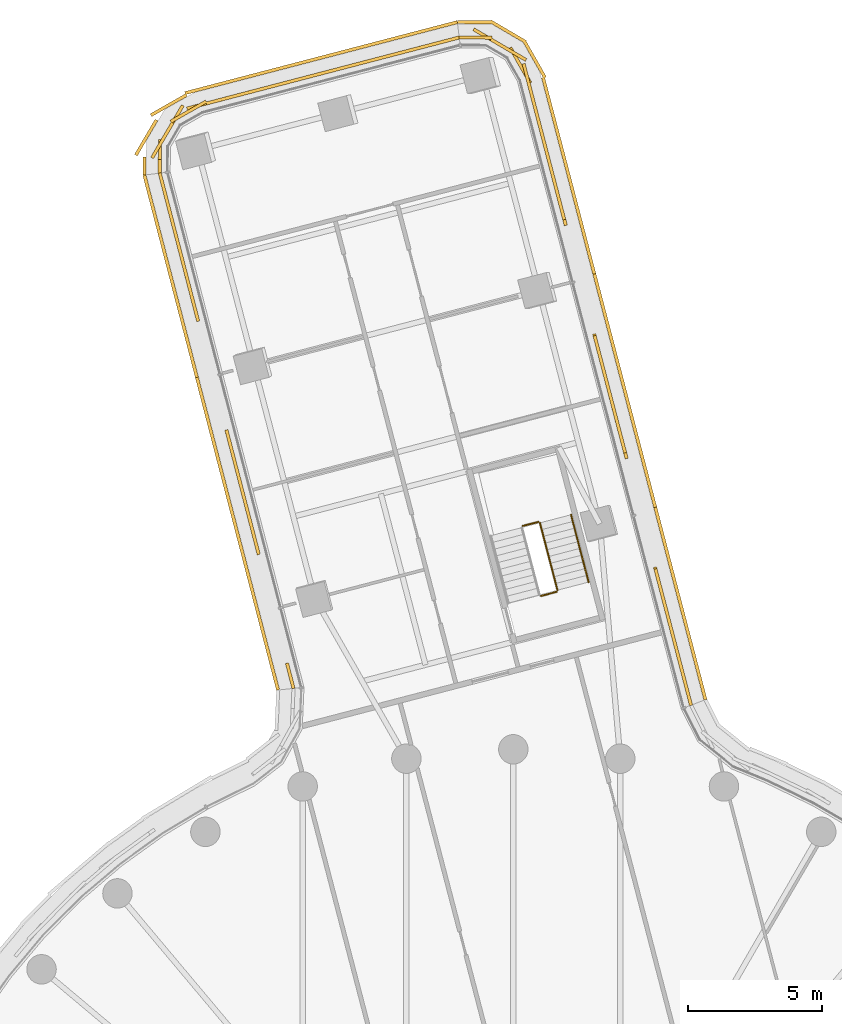
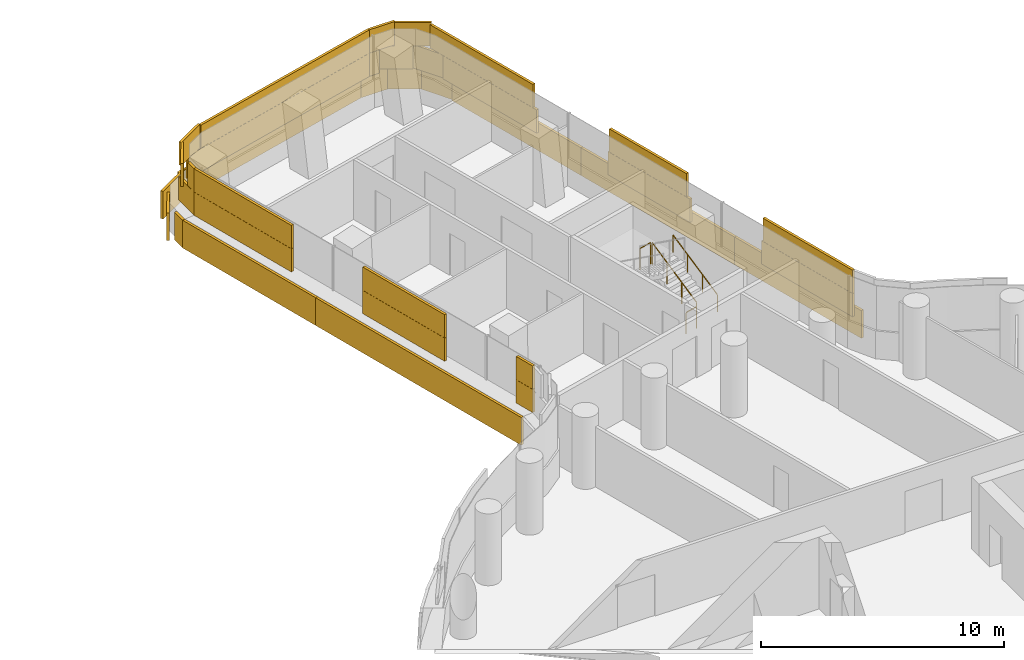
# One storey, part 30 of 30: 6 coverings, 4 railings.
"""IFC4 building model written with IfcOpenShell, lengths in metres."""

from ifc_helpers import new_model, si_unit, direction, frame, origin, origin_2d, place, context, subcontext, project, spatial, rectangle, circle, extrude, material, layer, layer_set, type_object, element, save


model = new_model("IFC4")

# Units and contexts
model_context = context("Model", 3, precision=1e-05, world=origin(), true_north=direction((0.0, 1.0)))
body_context = subcontext(model_context, "Body", "Model", "MODEL_VIEW")
ifc_project = project(units=[si_unit("LENGTHUNIT", "METRE"), si_unit("AREAUNIT", "SQUARE_METRE"), si_unit("VOLUMEUNIT", "CUBIC_METRE"), si_unit("PLANEANGLEUNIT", "RADIAN"), si_unit("MASSUNIT", "GRAM", prefix="KILO")], contexts=[model_context])

# Site, building, storey
site_placement = place(None, origin())
site = spatial("IfcSite", under=ifc_project, at=site_placement, CompositionType="ELEMENT")
building_placement = place(site_placement, origin())
building = spatial("IfcBuilding", under=site, at=building_placement, Name="Tamarind Cross Interchange Tower", CompositionType="ELEMENT")
storey_placement = place(building_placement, frame((0.0, 0.0, 87.25)))
storey = spatial("IfcBuildingStorey", under=building, at=storey_placement, Name="L20", CompositionType="ELEMENT", Elevation=87.25)

# Railings
ifc_material_1 = material(Name="Stair guard")
railing_type_1 = type_object("IfcRailingType", Name="Stair guard", PredefinedType="GUARDRAIL", material=ifc_material_1)
railing_1_placement = place(storey_placement, frame((1.650390625, 28.94189453125, 0.17041015625)))
element("IfcRailing", 1, at=railing_1_placement, inside=storey, type_object=railing_type_1, Name="L20 ST4 stair guard 1", PredefinedType="GUARDRAIL", context=body_context, shape_type="SweptSolid", body=[
    extrude(circle(Radius=0.02392578125, at=origin_2d()), frame((0.0, 0.0, 1.076171875), z_axis=(-0.211169100109, 0.809180515998, 0.548301471535), x_axis=(-0.96759433238, -0.252509817524, 0.0)), (0.0, 0.0, 1.0), 3.10888671875),
    extrude(circle(Radius=0.02099609375, at=origin_2d()), origin(), (0.0, 0.0, 1.0), 1.052001953125),
    extrude(circle(Radius=0.02099609375, at=origin_2d()), frame((-0.21875, 0.838623046875, 0.568115234375)), (0.0, 0.0, 1.0), 1.052001953125),
    extrude(circle(Radius=0.02099609375, at=origin_2d()), frame((-0.437744140625, 1.677001953125, 1.136474609375)), (0.0, 0.0, 1.0), 1.052001953125),
    extrude(circle(Radius=0.02099609375, at=origin_2d()), frame((-0.656494140625, 2.515625, 1.70458984375)), (0.0, 0.0, 1.0), 1.052001953125),
])
railing_2_placement = place(storey_placement, frame((0.932861328125, 31.4931640625, 1.875)))
element("IfcRailing", 2, at=railing_2_placement, inside=storey, type_object=railing_type_1, Name="L20 ST4 stair guard 2", PredefinedType="GUARDRAIL", context=body_context, shape_type="SweptSolid", body=[
    extrude(circle(Radius=0.02392578125, at=origin_2d()), frame((0.0, 0.0, 1.076171875), z_axis=(-0.967651833377, -0.252289376238, 0.0), x_axis=(0.252289376238, -0.967651833377, 0.0)), (0.0, 0.0, 1.0), 0.599853515625),
    extrude(circle(Radius=0.02099609375, at=origin_2d()), origin(), (0.0, 0.0, 1.0), 1.052001953125),
    extrude(circle(Radius=0.02099609375, at=origin_2d()), frame((-0.58056640625, -0.1513671875, 0.0)), (0.0, 0.0, 1.0), 1.052001953125),
])
railing_3_placement = place(storey_placement, frame((1.61474609375, 28.880859375, 0.0)))
element("IfcRailing", 3, at=railing_3_placement, inside=storey, type_object=railing_type_1, Name="L20 ST4 stair guard 4", PredefinedType="GUARDRAIL", context=body_context, shape_type="SweptSolid", body=[
    extrude(circle(Radius=0.02392578125, at=origin_2d()), frame((0.0, 0.0, 1.076171875), z_axis=(-0.967552428308, -0.252670335567, 0.0), x_axis=(0.252670335567, -0.967552428308, 0.0)), (0.0, 0.0, 1.0), 0.60009765625),
    extrude(circle(Radius=0.02099609375, at=origin_2d()), origin(), (0.0, 0.0, 1.0), 1.052001953125),
    extrude(circle(Radius=0.02099609375, at=origin_2d()), frame((-0.58056640625, -0.151611328125, 0.0)), (0.0, 0.0, 1.0), 1.052001953125),
])
ifc_material_2 = material(Name="Stair handrail")
railing_type_2 = type_object("IfcRailingType", Name="Stair handrail", PredefinedType="HANDRAIL", material=ifc_material_2)
railing_4_placement = place(storey_placement, frame((2.8115234375, 29.244873046875, 0.17041015625)))
element("IfcRailing", 4, at=railing_4_placement, inside=storey, type_object=railing_type_2, Name="L20 ST4 stair handrail 1", PredefinedType="HANDRAIL", context=body_context, shape_type="SweptSolid", body=[
    extrude(circle(Radius=0.02392578125, at=origin_2d()), frame((0.0, 0.0, 0.8759765625), z_axis=(-0.211169100109, 0.809180515998, 0.548301471535), x_axis=(-0.96759433238, -0.252509817524, 0.0)), (0.0, 0.0, 1.0), 3.10888671875),
    extrude(circle(Radius=0.02099609375, at=origin_2d()), origin(), (0.0, 0.0, 1.0), 0.851806640625),
    extrude(circle(Radius=0.02099609375, at=origin_2d()), frame((-0.21875, 0.838623046875, 0.568115234375)), (0.0, 0.0, 1.0), 0.851806640625),
    extrude(circle(Radius=0.02099609375, at=origin_2d()), frame((-0.437744140625, 1.677001953125, 1.136474609375)), (0.0, 0.0, 1.0), 0.851806640625),
    extrude(circle(Radius=0.02099609375, at=origin_2d()), frame((-0.656494140625, 2.515625, 1.70458984375)), (0.0, 0.0, 1.0), 0.851806640625),
])

# Coverings
ifc_material_3 = material(Name="Terracotta", Category="masonry")
ifc_layer = layer(ifc_material_3, 0.1201171875)
ifc_layer_set = layer_set([ifc_layer], Name="Terracotta")
covering_type = type_object("IfcCoveringType", Name="Terracotta baguette screen unit", PredefinedType="MOLDING", material=ifc_layer_set)
covering_1_placement = place(storey_placement, origin())
element("IfcCovering", 5, at=covering_1_placement, inside=storey, type_object=covering_type, Name="SCR-L20-00-00", PredefinedType="MOLDING", context=body_context, shape_type="SweptSolid", body=[
    extrude(rectangle(XDim=1.510009765625, YDim=0.1201171875, at=origin_2d()), frame((-2.745361328125, 49.3955078125, 1.404052734375), z_axis=(0.0, 0.0, 1.0), x_axis=(-0.967589396666, -0.252528729967, 0.0)), (0.0, 0.0, 1.0), 1.1669921875),
    extrude(rectangle(XDim=1.52001953125, YDim=0.1201171875, at=origin_2d()), frame((-4.19677734375, 49.016845703125, 1.404052734375), z_axis=(0.0, 0.0, 1.0), x_axis=(-0.967589396666, -0.252528729967, 0.0)), (0.0, 0.0, 1.0), 1.1669921875),
    extrude(rectangle(XDim=1.52001953125, YDim=0.1201171875, at=origin_2d()), frame((-5.64794921875, 48.637939453125, 1.404052734375), z_axis=(0.0, 0.0, 1.0), x_axis=(-0.967589396666, -0.252528729967, 0.0)), (0.0, 0.0, 1.0), 1.1669921875),
    extrude(rectangle(XDim=1.52001953125, YDim=0.1201171875, at=origin_2d()), frame((-7.099365234375, 48.25927734375, 1.404052734375), z_axis=(0.0, 0.0, 1.0), x_axis=(-0.967589396666, -0.252528729967, 0.0)), (0.0, 0.0, 1.0), 1.1669921875),
    extrude(rectangle(XDim=1.52001953125, YDim=0.1201171875, at=origin_2d()), frame((-8.55078125, 47.88037109375, 1.404052734375), z_axis=(0.0, 0.0, 1.0), x_axis=(-0.967589396666, -0.252528729967, 0.0)), (0.0, 0.0, 1.0), 1.1669921875),
    extrude(rectangle(XDim=1.52001953125, YDim=0.1201171875, at=origin_2d()), frame((-10.002197265625, 47.501708984375, 1.404052734375), z_axis=(0.0, 0.0, 1.0), x_axis=(-0.967589396666, -0.252528729967, 0.0)), (0.0, 0.0, 1.0), 1.1669921875),
    extrude(rectangle(XDim=1.52001953125, YDim=0.1201171875, at=origin_2d()), frame((-11.45361328125, 47.122802734375, 1.404052734375), z_axis=(0.0, 0.0, 1.0), x_axis=(-0.967589396666, -0.252528729967, 0.0)), (0.0, 0.0, 1.0), 1.1669921875),
    extrude(rectangle(XDim=1.52001953125, YDim=0.1201171875, at=origin_2d()), frame((-12.72802734375, 46.390380859375, 1.404052734375), z_axis=(0.0, 0.0, 1.0), x_axis=(-0.505624246383, -0.862753801191, 0.0)), (0.0, 0.0, 1.0), 1.1669921875),
    extrude(rectangle(XDim=1.259521484375, YDim=0.1201171875, at=origin_2d()), frame((-13.200439453125, 45.14306640625, 1.404052734375), z_axis=(0.0, 0.0, 1.0), x_axis=(-0.006506541541, -0.999978832235, 0.0)), (0.0, 0.0, 1.0), 1.1669921875),
    extrude(rectangle(XDim=0.760009765625, YDim=0.1201171875, at=origin_2d()), frame((-2.382568359375, 49.490234375, 2.5791015625), z_axis=(0.0, 0.0, 1.0), x_axis=(-0.967589396666, -0.252528729967, 0.0)), (0.0, 0.0, 1.0), 1.1669921875),
    extrude(rectangle(XDim=1.52001953125, YDim=0.1201171875, at=origin_2d()), frame((-3.470947265625, 49.2060546875, 2.5791015625), z_axis=(0.0, 0.0, 1.0), x_axis=(-0.967589396666, -0.252528729967, 0.0)), (0.0, 0.0, 1.0), 1.1669921875),
    extrude(rectangle(XDim=1.52001953125, YDim=0.1201171875, at=origin_2d()), frame((-4.92236328125, 48.827392578125, 2.5791015625), z_axis=(0.0, 0.0, 1.0), x_axis=(-0.967589396666, -0.252528729967, 0.0)), (0.0, 0.0, 1.0), 1.1669921875),
    extrude(rectangle(XDim=1.52001953125, YDim=0.1201171875, at=origin_2d()), frame((-6.373779296875, 48.448486328125, 2.5791015625), z_axis=(0.0, 0.0, 1.0), x_axis=(-0.967589396666, -0.252528729967, 0.0)), (0.0, 0.0, 1.0), 1.1669921875),
    extrude(rectangle(XDim=1.52001953125, YDim=0.1201171875, at=origin_2d()), frame((-7.8251953125, 48.06982421875, 2.5791015625), z_axis=(0.0, 0.0, 1.0), x_axis=(-0.967589396666, -0.252528729967, 0.0)), (0.0, 0.0, 1.0), 1.1669921875),
    extrude(rectangle(XDim=1.52001953125, YDim=0.1201171875, at=origin_2d()), frame((-9.276611328125, 47.69091796875, 2.5791015625), z_axis=(0.0, 0.0, 1.0), x_axis=(-0.967589396666, -0.252528729967, 0.0)), (0.0, 0.0, 1.0), 1.1669921875),
    extrude(rectangle(XDim=1.52001953125, YDim=0.1201171875, at=origin_2d()), frame((-10.72802734375, 47.312255859375, 2.5791015625), z_axis=(0.0, 0.0, 1.0), x_axis=(-0.967589396666, -0.252528729967, 0.0)), (0.0, 0.0, 1.0), 1.1669921875),
    extrude(rectangle(XDim=1.52001953125, YDim=0.1201171875, at=origin_2d()), frame((-12.132568359375, 46.818115234375, 2.5791015625), z_axis=(0.0, 0.0, 1.0), x_axis=(-0.869260342733, -0.494354585852, 0.0)), (0.0, 0.0, 1.0), 1.1669921875),
    extrude(rectangle(XDim=1.52001953125, YDim=0.1201171875, at=origin_2d()), frame((-13.107177734375, 45.7431640625, 2.5791015625), z_axis=(0.0, 0.0, 1.0), x_axis=(-0.505624246383, -0.862753801191, 0.0)), (0.0, 0.0, 1.0), 1.1669921875),
    extrude(rectangle(XDim=0.509521484375, YDim=0.1201171875, at=origin_2d()), frame((-13.202880859375, 44.76806640625, 2.5791015625), z_axis=(0.0, 0.0, 1.0), x_axis=(-0.006506541541, -0.999978832235, 0.0)), (0.0, 0.0, 1.0), 1.1669921875),
    extrude(rectangle(XDim=1.510009765625, YDim=0.1201171875, at=origin_2d()), frame((-2.822021484375, 49.96875, 0.00390625), z_axis=(0.0, 0.0, 1.0), x_axis=(-0.967589396666, -0.252528729967, 0.0)), (0.0, 0.0, 1.0), 1.39208984375),
    extrude(rectangle(XDim=1.52001953125, YDim=0.1201171875, at=origin_2d()), frame((-4.2685546875, 49.59130859375, 0.00390625), z_axis=(0.0, 0.0, 1.0), x_axis=(-0.967589396666, -0.252528729967, 0.0)), (0.0, 0.0, 1.0), 1.39208984375),
    extrude(rectangle(XDim=1.52001953125, YDim=0.1201171875, at=origin_2d()), frame((-5.719970703125, 49.21240234375, 0.00390625), z_axis=(0.0, 0.0, 1.0), x_axis=(-0.967589396666, -0.252528729967, 0.0)), (0.0, 0.0, 1.0), 1.39208984375),
    extrude(rectangle(XDim=1.52001953125, YDim=0.1201171875, at=origin_2d()), frame((-7.17138671875, 48.833740234375, 0.00390625), z_axis=(0.0, 0.0, 1.0), x_axis=(-0.967589396666, -0.252528729967, 0.0)), (0.0, 0.0, 1.0), 1.39208984375),
    extrude(rectangle(XDim=1.52001953125, YDim=0.1201171875, at=origin_2d()), frame((-8.62255859375, 48.454833984375, 0.00390625), z_axis=(0.0, 0.0, 1.0), x_axis=(-0.967589396666, -0.252528729967, 0.0)), (0.0, 0.0, 1.0), 1.39208984375),
    extrude(rectangle(XDim=1.52001953125, YDim=0.1201171875, at=origin_2d()), frame((-10.073974609375, 48.076171875, 0.00390625), z_axis=(0.0, 0.0, 1.0), x_axis=(-0.967589396666, -0.252528729967, 0.0)), (0.0, 0.0, 1.0), 1.39208984375),
    extrude(rectangle(XDim=1.52001953125, YDim=0.1201171875, at=origin_2d()), frame((-11.525390625, 47.697265625, 0.00390625), z_axis=(0.0, 0.0, 1.0), x_axis=(-0.967589396666, -0.252528729967, 0.0)), (0.0, 0.0, 1.0), 1.39208984375),
    extrude(rectangle(XDim=1.52001953125, YDim=0.1201171875, at=origin_2d()), frame((-12.87109375, 47.05859375, 0.00390625), z_axis=(0.0, 0.0, 1.0), x_axis=(-0.869260342733, -0.494354585852, 0.0)), (0.0, 0.0, 1.0), 1.39208984375),
    extrude(rectangle(XDim=1.52001953125, YDim=0.1201171875, at=origin_2d()), frame((-13.71142578125, 45.847412109375, 0.00390625), z_axis=(0.0, 0.0, 1.0), x_axis=(-0.505624246383, -0.862753801191, 0.0)), (0.0, 0.0, 1.0), 1.39208984375),
    extrude(rectangle(XDim=0.6767578125, YDim=0.1201171875, at=origin_2d()), frame((-13.776611328125, 44.78515625, 0.00390625), z_axis=(0.0, 0.0, 1.0), x_axis=(-0.006506541541, -0.999978832235, 0.0)), (0.0, 0.0, 1.0), 1.39208984375),
])
covering_2_placement = place(storey_placement, origin())
element("IfcCovering", 6, at=covering_2_placement, inside=storey, type_object=covering_type, Name="SCR-L20-01-00", PredefinedType="MOLDING", context=body_context, shape_type="SweptSolid", body=[
    extrude(rectangle(XDim=1.510009765625, YDim=0.1201171875, at=origin_2d()), frame((-13.015869140625, 43.792236328125, 1.404052734375), z_axis=(0.0, 0.0, 1.0), x_axis=(0.251267008723, -0.967917811763, 0.0)), (0.0, 0.0, 1.0), 1.1669921875),
    extrude(rectangle(XDim=1.52001953125, YDim=0.1201171875, at=origin_2d()), frame((-12.63916015625, 42.34033203125, 1.404052734375), z_axis=(0.0, 0.0, 1.0), x_axis=(0.251267008723, -0.967917811763, 0.0)), (0.0, 0.0, 1.0), 1.1669921875),
    extrude(rectangle(XDim=1.52001953125, YDim=0.1201171875, at=origin_2d()), frame((-12.26220703125, 40.888427734375, 1.404052734375), z_axis=(0.0, 0.0, 1.0), x_axis=(0.251267008723, -0.967917811763, 0.0)), (0.0, 0.0, 1.0), 1.1669921875),
    extrude(rectangle(XDim=1.22021484375, YDim=0.1201171875, at=origin_2d()), frame((-11.921630859375, 39.576904296875, 1.404052734375), z_axis=(0.0, 0.0, 1.0), x_axis=(0.251267008723, -0.967917811763, 0.0)), (0.0, 0.0, 1.0), 1.1669921875),
    extrude(rectangle(XDim=0.760009765625, YDim=0.1201171875, at=origin_2d()), frame((-13.110107421875, 44.1552734375, 2.5791015625), z_axis=(0.0, 0.0, 1.0), x_axis=(0.251267008723, -0.967917811763, 0.0)), (0.0, 0.0, 1.0), 1.1669921875),
    extrude(rectangle(XDim=1.52001953125, YDim=0.1201171875, at=origin_2d()), frame((-12.82763671875, 43.06640625, 2.5791015625), z_axis=(0.0, 0.0, 1.0), x_axis=(0.251267008723, -0.967917811763, 0.0)), (0.0, 0.0, 1.0), 1.1669921875),
    extrude(rectangle(XDim=1.52001953125, YDim=0.1201171875, at=origin_2d()), frame((-12.45068359375, 41.614501953125, 2.5791015625), z_axis=(0.0, 0.0, 1.0), x_axis=(0.251267008723, -0.967917811763, 0.0)), (0.0, 0.0, 1.0), 1.1669921875),
    extrude(rectangle(XDim=1.52001953125, YDim=0.1201171875, at=origin_2d()), frame((-12.07373046875, 40.16259765625, 2.5791015625), z_axis=(0.0, 0.0, 1.0), x_axis=(0.251267008723, -0.967917811763, 0.0)), (0.0, 0.0, 1.0), 1.1669921875),
    extrude(rectangle(XDim=0.47021484375, YDim=0.1201171875, at=origin_2d()), frame((-11.827392578125, 39.2138671875, 2.5791015625), z_axis=(0.0, 0.0, 1.0), x_axis=(0.251267008723, -0.967917811763, 0.0)), (0.0, 0.0, 1.0), 1.1669921875),
    extrude(rectangle(XDim=1.510009765625, YDim=0.1201171875, at=origin_2d()), frame((-13.589111328125, 43.7158203125, 0.00390625), z_axis=(0.0, 0.0, 1.0), x_axis=(0.251267008723, -0.967917811763, 0.0)), (0.0, 0.0, 1.0), 1.39208984375),
    extrude(rectangle(XDim=1.52001953125, YDim=0.1201171875, at=origin_2d()), frame((-13.213623046875, 42.268798828125, 0.00390625), z_axis=(0.0, 0.0, 1.0), x_axis=(0.251267008723, -0.967917811763, 0.0)), (0.0, 0.0, 1.0), 1.39208984375),
    extrude(rectangle(XDim=1.52001953125, YDim=0.1201171875, at=origin_2d()), frame((-12.836669921875, 40.817138671875, 0.00390625), z_axis=(0.0, 0.0, 1.0), x_axis=(0.251267008723, -0.967917811763, 0.0)), (0.0, 0.0, 1.0), 1.39208984375),
    extrude(rectangle(XDim=1.52001953125, YDim=0.1201171875, at=origin_2d()), frame((-12.459716796875, 39.365234375, 0.00390625), z_axis=(0.0, 0.0, 1.0), x_axis=(0.251267008723, -0.967917811763, 0.0)), (0.0, 0.0, 1.0), 1.39208984375),
    extrude(rectangle(XDim=1.52001953125, YDim=0.1201171875, at=origin_2d()), frame((-12.082763671875, 37.913330078125, 0.00390625), z_axis=(0.0, 0.0, 1.0), x_axis=(0.251267008723, -0.967917811763, 0.0)), (0.0, 0.0, 1.0), 1.39208984375),
    extrude(rectangle(XDim=0.316162109375, YDim=0.1201171875, at=origin_2d()), frame((-11.857177734375, 37.0439453125, 0.00390625), z_axis=(0.0, 0.0, 1.0), x_axis=(0.251267008723, -0.967917811763, 0.0)), (0.0, 0.0, 1.0), 1.39208984375),
])
covering_3_placement = place(storey_placement, origin())
element("IfcCovering", 7, at=covering_3_placement, inside=storey, type_object=covering_type, Name="SCR-L20-01-01", PredefinedType="MOLDING", context=body_context, shape_type="SweptSolid", body=[
    extrude(rectangle(XDim=0.599853515625, YDim=0.1201171875, at=origin_2d()), frame((-10.64013671875, 34.640380859375, 1.404052734375), z_axis=(0.0, 0.0, 1.0), x_axis=(0.251267008723, -0.967917811763, 0.0)), (0.0, 0.0, 1.0), 1.1669921875),
    extrude(rectangle(XDim=1.52001953125, YDim=0.1201171875, at=origin_2d()), frame((-10.377685546875, 33.629150390625, 1.404052734375), z_axis=(0.0, 0.0, 1.0), x_axis=(0.251267008723, -0.967917811763, 0.0)), (0.0, 0.0, 1.0), 1.1669921875),
    extrude(rectangle(XDim=1.52001953125, YDim=0.1201171875, at=origin_2d()), frame((-10.000732421875, 32.17724609375, 1.404052734375), z_axis=(0.0, 0.0, 1.0), x_axis=(0.251267008723, -0.967917811763, 0.0)), (0.0, 0.0, 1.0), 1.1669921875),
    extrude(rectangle(XDim=1.219482421875, YDim=0.1201171875, at=origin_2d()), frame((-9.660400390625, 30.865966796875, 1.404052734375), z_axis=(0.0, 0.0, 1.0), x_axis=(0.251267008723, -0.967917811763, 0.0)), (0.0, 0.0, 1.0), 1.1669921875),
    extrude(rectangle(XDim=0.6005859375, YDim=0.1201171875, at=origin_2d()), frame((-8.37890625, 25.929443359375, 1.404052734375), z_axis=(0.0, 0.0, 1.0), x_axis=(0.251267008723, -0.967917811763, 0.0)), (0.0, 0.0, 1.0), 1.1669921875),
    extrude(rectangle(XDim=0.390869140625, YDim=0.1201171875, at=origin_2d()), frame((-8.2568359375, 25.45947265625, 1.404052734375), z_axis=(0.0, 0.0, 1.0), x_axis=(0.251267008723, -0.967917811763, 0.0)), (0.0, 0.0, 1.0), 1.1669921875),
    extrude(rectangle(XDim=1.349853515625, YDim=0.1201171875, at=origin_2d()), frame((-10.5458984375, 34.277587890625, 2.5791015625), z_axis=(0.0, 0.0, 1.0), x_axis=(0.251267008723, -0.967917811763, 0.0)), (0.0, 0.0, 1.0), 1.1669921875),
    extrude(rectangle(XDim=1.52001953125, YDim=0.1201171875, at=origin_2d()), frame((-10.189208984375, 32.903076171875, 2.5791015625), z_axis=(0.0, 0.0, 1.0), x_axis=(0.251267008723, -0.967917811763, 0.0)), (0.0, 0.0, 1.0), 1.1669921875),
    extrude(rectangle(XDim=1.52001953125, YDim=0.1201171875, at=origin_2d()), frame((-9.812255859375, 31.451171875, 2.5791015625), z_axis=(0.0, 0.0, 1.0), x_axis=(0.251267008723, -0.967917811763, 0.0)), (0.0, 0.0, 1.0), 1.1669921875),
    extrude(rectangle(XDim=0.469482421875, YDim=0.1201171875, at=origin_2d()), frame((-9.566162109375, 30.5029296875, 2.5791015625), z_axis=(0.0, 0.0, 1.0), x_axis=(0.251267008723, -0.967917811763, 0.0)), (0.0, 0.0, 1.0), 1.1669921875),
    extrude(rectangle(XDim=0.971435546875, YDim=0.1201171875, at=origin_2d()), frame((-8.3310546875, 25.7451171875, 2.5791015625), z_axis=(0.0, 0.0, 1.0), x_axis=(0.251267008723, -0.967917811763, 0.0)), (0.0, 0.0, 1.0), 1.1669921875),
    extrude(rectangle(XDim=1.203857421875, YDim=0.1201171875, at=origin_2d()), frame((-11.666259765625, 36.308349609375, 0.00390625), z_axis=(0.0, 0.0, 1.0), x_axis=(0.251267008723, -0.967917811763, 0.0)), (0.0, 0.0, 1.0), 1.39208984375),
    extrude(rectangle(XDim=1.52001953125, YDim=0.1201171875, at=origin_2d()), frame((-11.3291015625, 35.009521484375, 0.00390625), z_axis=(0.0, 0.0, 1.0), x_axis=(0.251267008723, -0.967917811763, 0.0)), (0.0, 0.0, 1.0), 1.39208984375),
    extrude(rectangle(XDim=1.52001953125, YDim=0.1201171875, at=origin_2d()), frame((-10.9521484375, 33.5576171875, 0.00390625), z_axis=(0.0, 0.0, 1.0), x_axis=(0.251267008723, -0.967917811763, 0.0)), (0.0, 0.0, 1.0), 1.39208984375),
    extrude(rectangle(XDim=1.52001953125, YDim=0.1201171875, at=origin_2d()), frame((-10.5751953125, 32.105712890625, 0.00390625), z_axis=(0.0, 0.0, 1.0), x_axis=(0.251267008723, -0.967917811763, 0.0)), (0.0, 0.0, 1.0), 1.39208984375),
    extrude(rectangle(XDim=1.52001953125, YDim=0.1201171875, at=origin_2d()), frame((-10.1982421875, 30.65380859375, 0.00390625), z_axis=(0.0, 0.0, 1.0), x_axis=(0.251267008723, -0.967917811763, 0.0)), (0.0, 0.0, 1.0), 1.39208984375),
    extrude(rectangle(XDim=1.52001953125, YDim=0.1201171875, at=origin_2d()), frame((-9.821533203125, 29.201904296875, 0.00390625), z_axis=(0.0, 0.0, 1.0), x_axis=(0.251267008723, -0.967917811763, 0.0)), (0.0, 0.0, 1.0), 1.39208984375),
    extrude(rectangle(XDim=1.52001953125, YDim=0.1201171875, at=origin_2d()), frame((-9.444580078125, 27.750244140625, 0.00390625), z_axis=(0.0, 0.0, 1.0), x_axis=(0.251267008723, -0.967917811763, 0.0)), (0.0, 0.0, 1.0), 1.39208984375),
    extrude(rectangle(XDim=1.52001953125, YDim=0.1201171875, at=origin_2d()), frame((-9.067626953125, 26.29833984375, 0.00390625), z_axis=(0.0, 0.0, 1.0), x_axis=(0.251267008723, -0.967917811763, 0.0)), (0.0, 0.0, 1.0), 1.39208984375),
    extrude(rectangle(XDim=0.380126953125, YDim=0.1201171875, at=origin_2d()), frame((-8.833984375, 25.39794921875, 0.00390625), z_axis=(0.0, 0.0, 1.0), x_axis=(0.251267008723, -0.967917811763, 0.0)), (0.0, 0.0, 1.0), 1.39208984375),
])
covering_4_placement = place(storey_placement, origin())
element("IfcCovering", 8, at=covering_4_placement, inside=storey, type_object=covering_type, Name="SCR-L20-15-00", PredefinedType="MOLDING", context=body_context, shape_type="SweptSolid", body=[
    extrude(rectangle(XDim=1.510009765625, YDim=0.1201171875, at=origin_2d()), frame((6.44677734375, 25.374267578125, 1.404052734375), z_axis=(0.0, 0.0, 1.0), x_axis=(-0.252528729967, 0.967589396666, 0.0)), (0.0, 0.0, 1.0), 1.1669921875),
    extrude(rectangle(XDim=1.52001953125, YDim=0.1201171875, at=origin_2d()), frame((6.068115234375, 26.82568359375, 1.404052734375), z_axis=(0.0, 0.0, 1.0), x_axis=(-0.252528729967, 0.967589396666, 0.0)), (0.0, 0.0, 1.0), 1.1669921875),
    extrude(rectangle(XDim=1.52001953125, YDim=0.1201171875, at=origin_2d()), frame((5.689208984375, 28.277099609375, 1.404052734375), z_axis=(0.0, 0.0, 1.0), x_axis=(-0.252528729967, 0.967589396666, 0.0)), (0.0, 0.0, 1.0), 1.1669921875),
    extrude(rectangle(XDim=0.833251953125, YDim=0.1201171875, at=origin_2d()), frame((5.395751953125, 29.401123046875, 1.404052734375), z_axis=(0.0, 0.0, 1.0), x_axis=(-0.252528729967, 0.967589396666, 0.0)), (0.0, 0.0, 1.0), 1.1669921875),
    extrude(rectangle(XDim=0.760009765625, YDim=0.1201171875, at=origin_2d()), frame((6.54150390625, 25.011474609375, 2.5791015625), z_axis=(0.0, 0.0, 1.0), x_axis=(-0.252528729967, 0.967589396666, 0.0)), (0.0, 0.0, 1.0), 1.1669921875),
    extrude(rectangle(XDim=1.52001953125, YDim=0.1201171875, at=origin_2d()), frame((6.25732421875, 26.10009765625, 2.5791015625), z_axis=(0.0, 0.0, 1.0), x_axis=(-0.252528729967, 0.967589396666, 0.0)), (0.0, 0.0, 1.0), 1.1669921875),
    extrude(rectangle(XDim=1.52001953125, YDim=0.1201171875, at=origin_2d()), frame((5.878662109375, 27.551513671875, 2.5791015625), z_axis=(0.0, 0.0, 1.0), x_axis=(-0.252528729967, 0.967589396666, 0.0)), (0.0, 0.0, 1.0), 1.1669921875),
    extrude(rectangle(XDim=1.52001953125, YDim=0.1201171875, at=origin_2d()), frame((5.499755859375, 29.0029296875, 2.5791015625), z_axis=(0.0, 0.0, 1.0), x_axis=(-0.252528729967, 0.967589396666, 0.0)), (0.0, 0.0, 1.0), 1.1669921875),
    extrude(rectangle(XDim=1.510009765625, YDim=0.1201171875, at=origin_2d()), frame((6.9853515625, 25.583984375, 0.00390625), z_axis=(0.0, 0.0, 1.0), x_axis=(-0.252528729967, 0.967589396666, 0.0)), (0.0, 0.0, 1.0), 1.39208984375),
    extrude(rectangle(XDim=1.52001953125, YDim=0.1201171875, at=origin_2d()), frame((6.60791015625, 27.030517578125, 0.00390625), z_axis=(0.0, 0.0, 1.0), x_axis=(-0.252528729967, 0.967589396666, 0.0)), (0.0, 0.0, 1.0), 1.39208984375),
    extrude(rectangle(XDim=1.52001953125, YDim=0.1201171875, at=origin_2d()), frame((6.22900390625, 28.48193359375, 0.00390625), z_axis=(0.0, 0.0, 1.0), x_axis=(-0.252528729967, 0.967589396666, 0.0)), (0.0, 0.0, 1.0), 1.39208984375),
    extrude(rectangle(XDim=1.52001953125, YDim=0.1201171875, at=origin_2d()), frame((5.850341796875, 29.933349609375, 0.00390625), z_axis=(0.0, 0.0, 1.0), x_axis=(-0.252528729967, 0.967589396666, 0.0)), (0.0, 0.0, 1.0), 1.39208984375),
    extrude(rectangle(XDim=1.4375, YDim=0.1201171875, at=origin_2d()), frame((5.48193359375, 31.3447265625, 0.00390625), z_axis=(0.0, 0.0, 1.0), x_axis=(-0.252528729967, 0.967589396666, 0.0)), (0.0, 0.0, 1.0), 1.39208984375),
])
covering_5_placement = place(storey_placement, origin())
element("IfcCovering", 9, at=covering_5_placement, inside=storey, type_object=covering_type, Name="SCR-L20-15-01", PredefinedType="MOLDING", context=body_context, shape_type="SweptSolid", body=[
    extrude(rectangle(XDim=0.986572265625, YDim=0.1201171875, at=origin_2d()), frame((4.10791015625, 34.3359375, 1.404052734375), z_axis=(0.0, 0.0, 1.0), x_axis=(-0.252528729967, 0.967589396666, 0.0)), (0.0, 0.0, 1.0), 1.1669921875),
    extrude(rectangle(XDim=1.52001953125, YDim=0.1201171875, at=origin_2d()), frame((3.795166015625, 35.5341796875, 1.404052734375), z_axis=(0.0, 0.0, 1.0), x_axis=(-0.252528729967, 0.967589396666, 0.0)), (0.0, 0.0, 1.0), 1.1669921875),
    extrude(rectangle(XDim=1.52001953125, YDim=0.1201171875, at=origin_2d()), frame((3.41650390625, 36.9853515625, 1.404052734375), z_axis=(0.0, 0.0, 1.0), x_axis=(-0.252528729967, 0.967589396666, 0.0)), (0.0, 0.0, 1.0), 1.1669921875),
    extrude(rectangle(XDim=0.834228515625, YDim=0.1201171875, at=origin_2d()), frame((3.123046875, 38.10986328125, 1.404052734375), z_axis=(0.0, 0.0, 1.0), x_axis=(-0.252528729967, 0.967589396666, 0.0)), (0.0, 0.0, 1.0), 1.1669921875),
    extrude(rectangle(XDim=1.52001953125, YDim=0.1201171875, at=origin_2d()), frame((3.984619140625, 34.808349609375, 2.5791015625), z_axis=(0.0, 0.0, 1.0), x_axis=(-0.252528729967, 0.967589396666, 0.0)), (0.0, 0.0, 1.0), 1.1669921875),
    extrude(rectangle(XDim=1.52001953125, YDim=0.1201171875, at=origin_2d()), frame((3.60595703125, 36.259765625, 2.5791015625), z_axis=(0.0, 0.0, 1.0), x_axis=(-0.252528729967, 0.967589396666, 0.0)), (0.0, 0.0, 1.0), 1.1669921875),
    extrude(rectangle(XDim=1.52001953125, YDim=0.1201171875, at=origin_2d()), frame((3.22705078125, 37.711181640625, 2.5791015625), z_axis=(0.0, 0.0, 1.0), x_axis=(-0.252528729967, 0.967589396666, 0.0)), (0.0, 0.0, 1.0), 1.1669921875),
    extrude(rectangle(XDim=0.08251953125, YDim=0.1201171875, at=origin_2d()), frame((5.2900390625, 32.080078125, 0.00390625), z_axis=(0.0, 0.0, 1.0), x_axis=(-0.252528729967, 0.967589396666, 0.0)), (0.0, 0.0, 1.0), 1.39208984375),
    extrude(rectangle(XDim=1.52001953125, YDim=0.1201171875, at=origin_2d()), frame((5.0927734375, 32.8359375, 0.00390625), z_axis=(0.0, 0.0, 1.0), x_axis=(-0.252528729967, 0.967589396666, 0.0)), (0.0, 0.0, 1.0), 1.39208984375),
    extrude(rectangle(XDim=1.52001953125, YDim=0.1201171875, at=origin_2d()), frame((4.7138671875, 34.287353515625, 0.00390625), z_axis=(0.0, 0.0, 1.0), x_axis=(-0.252528729967, 0.967589396666, 0.0)), (0.0, 0.0, 1.0), 1.39208984375),
    extrude(rectangle(XDim=1.52001953125, YDim=0.1201171875, at=origin_2d()), frame((4.3349609375, 35.73876953125, 0.00390625), z_axis=(0.0, 0.0, 1.0), x_axis=(-0.252528729967, 0.967589396666, 0.0)), (0.0, 0.0, 1.0), 1.39208984375),
    extrude(rectangle(XDim=1.52001953125, YDim=0.1201171875, at=origin_2d()), frame((3.956298828125, 37.190185546875, 0.00390625), z_axis=(0.0, 0.0, 1.0), x_axis=(-0.252528729967, 0.967589396666, 0.0)), (0.0, 0.0, 1.0), 1.39208984375),
    extrude(rectangle(XDim=1.52001953125, YDim=0.1201171875, at=origin_2d()), frame((3.577392578125, 38.6416015625, 0.00390625), z_axis=(0.0, 0.0, 1.0), x_axis=(-0.252528729967, 0.967589396666, 0.0)), (0.0, 0.0, 1.0), 1.39208984375),
    extrude(rectangle(XDim=1.443603515625, YDim=0.1201171875, at=origin_2d()), frame((3.208251953125, 40.055908203125, 0.00390625), z_axis=(0.0, 0.0, 1.0), x_axis=(-0.252528729967, 0.967589396666, 0.0)), (0.0, 0.0, 1.0), 1.39208984375),
])
covering_6_placement = place(storey_placement, origin())
element("IfcCovering", 10, at=covering_6_placement, inside=storey, type_object=covering_type, Name="SCR-L20-15-02", PredefinedType="MOLDING", context=body_context, shape_type="SweptSolid", body=[
    extrude(rectangle(XDim=0.98583984375, YDim=0.1201171875, at=origin_2d()), frame((1.835205078125, 43.044677734375, 1.404052734375), z_axis=(0.0, 0.0, 1.0), x_axis=(-0.252528729967, 0.967589396666, 0.0)), (0.0, 0.0, 1.0), 1.1669921875),
    extrude(rectangle(XDim=1.52001953125, YDim=0.1201171875, at=origin_2d()), frame((1.5224609375, 44.242431640625, 1.404052734375), z_axis=(0.0, 0.0, 1.0), x_axis=(-0.252528729967, 0.967589396666, 0.0)), (0.0, 0.0, 1.0), 1.1669921875),
    extrude(rectangle(XDim=1.52001953125, YDim=0.1201171875, at=origin_2d()), frame((1.143798828125, 45.69384765625, 1.404052734375), z_axis=(0.0, 0.0, 1.0), x_axis=(-0.252528729967, 0.967589396666, 0.0)), (0.0, 0.0, 1.0), 1.1669921875),
    extrude(rectangle(XDim=1.52001953125, YDim=0.1201171875, at=origin_2d()), frame((0.764892578125, 47.145263671875, 1.404052734375), z_axis=(0.0, 0.0, 1.0), x_axis=(-0.252528729967, 0.967589396666, 0.0)), (0.0, 0.0, 1.0), 1.1669921875),
    extrude(rectangle(XDim=1.52001953125, YDim=0.1201171875, at=origin_2d()), frame((0.26171875, 48.5458984375, 1.404052734375), z_axis=(0.0, 0.0, 1.0), x_axis=(-0.494354585852, 0.869260342733, 0.0)), (0.0, 0.0, 1.0), 1.1669921875),
    extrude(rectangle(XDim=1.52001953125, YDim=0.1201171875, at=origin_2d()), frame((-0.8271484375, 49.5068359375, 1.404052734375), z_axis=(0.0, 0.0, 1.0), x_axis=(-0.862753801191, 0.505624246383, 0.0)), (0.0, 0.0, 1.0), 1.1669921875),
    extrude(rectangle(XDim=0.4716796875, YDim=0.1201171875, at=origin_2d()), frame((-1.788818359375, 49.58349609375, 1.404052734375), z_axis=(0.0, 0.0, 1.0), x_axis=(-0.999978832235, 0.006506541541, 0.0)), (0.0, 0.0, 1.0), 1.1669921875),
    extrude(rectangle(XDim=1.52001953125, YDim=0.1201171875, at=origin_2d()), frame((1.7119140625, 43.5166015625, 2.5791015625), z_axis=(0.0, 0.0, 1.0), x_axis=(-0.252528729967, 0.967589396666, 0.0)), (0.0, 0.0, 1.0), 1.1669921875),
    extrude(rectangle(XDim=1.52001953125, YDim=0.1201171875, at=origin_2d()), frame((1.3330078125, 44.968017578125, 2.5791015625), z_axis=(0.0, 0.0, 1.0), x_axis=(-0.252528729967, 0.967589396666, 0.0)), (0.0, 0.0, 1.0), 1.1669921875),
    extrude(rectangle(XDim=1.52001953125, YDim=0.1201171875, at=origin_2d()), frame((0.954345703125, 46.41943359375, 2.5791015625), z_axis=(0.0, 0.0, 1.0), x_axis=(-0.252528729967, 0.967589396666, 0.0)), (0.0, 0.0, 1.0), 1.1669921875),
    extrude(rectangle(XDim=1.52001953125, YDim=0.1201171875, at=origin_2d()), frame((0.575439453125, 47.870849609375, 2.5791015625), z_axis=(0.0, 0.0, 1.0), x_axis=(-0.252528729967, 0.967589396666, 0.0)), (0.0, 0.0, 1.0), 1.1669921875),
    extrude(rectangle(XDim=1.52001953125, YDim=0.1201171875, at=origin_2d()), frame((-0.18017578125, 49.127685546875, 2.5791015625), z_axis=(0.0, 0.0, 1.0), x_axis=(-0.862753801191, 0.505624246383, 0.0)), (0.0, 0.0, 1.0), 1.1669921875),
    extrude(rectangle(XDim=1.2216796875, YDim=0.1201171875, at=origin_2d()), frame((-1.413818359375, 49.5810546875, 2.5791015625), z_axis=(0.0, 0.0, 1.0), x_axis=(-0.999978832235, 0.006506541541, 0.0)), (0.0, 0.0, 1.0), 1.1669921875),
    extrude(rectangle(XDim=0.076416015625, YDim=0.1201171875, at=origin_2d()), frame((3.016357421875, 40.791259765625, 0.00390625), z_axis=(0.0, 0.0, 1.0), x_axis=(-0.252528729967, 0.967589396666, 0.0)), (0.0, 0.0, 1.0), 1.39208984375),
    extrude(rectangle(XDim=1.52001953125, YDim=0.1201171875, at=origin_2d()), frame((2.81982421875, 41.544189453125, 0.00390625), z_axis=(0.0, 0.0, 1.0), x_axis=(-0.252528729967, 0.967589396666, 0.0)), (0.0, 0.0, 1.0), 1.39208984375),
    extrude(rectangle(XDim=1.52001953125, YDim=0.1201171875, at=origin_2d()), frame((2.441162109375, 42.99560546875, 0.00390625), z_axis=(0.0, 0.0, 1.0), x_axis=(-0.252528729967, 0.967589396666, 0.0)), (0.0, 0.0, 1.0), 1.39208984375),
    extrude(rectangle(XDim=1.52001953125, YDim=0.1201171875, at=origin_2d()), frame((2.062255859375, 44.447021484375, 0.00390625), z_axis=(0.0, 0.0, 1.0), x_axis=(-0.252528729967, 0.967589396666, 0.0)), (0.0, 0.0, 1.0), 1.39208984375),
    extrude(rectangle(XDim=1.52001953125, YDim=0.1201171875, at=origin_2d()), frame((1.68359375, 45.8984375, 0.00390625), z_axis=(0.0, 0.0, 1.0), x_axis=(-0.252528729967, 0.967589396666, 0.0)), (0.0, 0.0, 1.0), 1.39208984375),
    extrude(rectangle(XDim=1.52001953125, YDim=0.1201171875, at=origin_2d()), frame((1.3046875, 47.349853515625, 0.00390625), z_axis=(0.0, 0.0, 1.0), x_axis=(-0.252528729967, 0.967589396666, 0.0)), (0.0, 0.0, 1.0), 1.39208984375),
    extrude(rectangle(XDim=1.52001953125, YDim=0.1201171875, at=origin_2d()), frame((0.804931640625, 48.751953125, 0.00390625), z_axis=(0.0, 0.0, 1.0), x_axis=(-0.494354585852, 0.869260342733, 0.0)), (0.0, 0.0, 1.0), 1.39208984375),
    extrude(rectangle(XDim=1.52001953125, YDim=0.1201171875, at=origin_2d()), frame((-0.1943359375, 49.801513671875, 0.00390625), z_axis=(0.0, 0.0, 1.0), x_axis=(-0.862753801191, 0.505624246383, 0.0)), (0.0, 0.0, 1.0), 1.39208984375),
    extrude(rectangle(XDim=1.251953125, YDim=0.1201171875, at=origin_2d()), frame((-1.465576171875, 50.1552734375, 0.00390625), z_axis=(0.0, 0.0, 1.0), x_axis=(-0.999978832235, 0.006506541541, 0.0)), (0.0, 0.0, 1.0), 1.39208984375),
])

save(model, "model.ifc")
